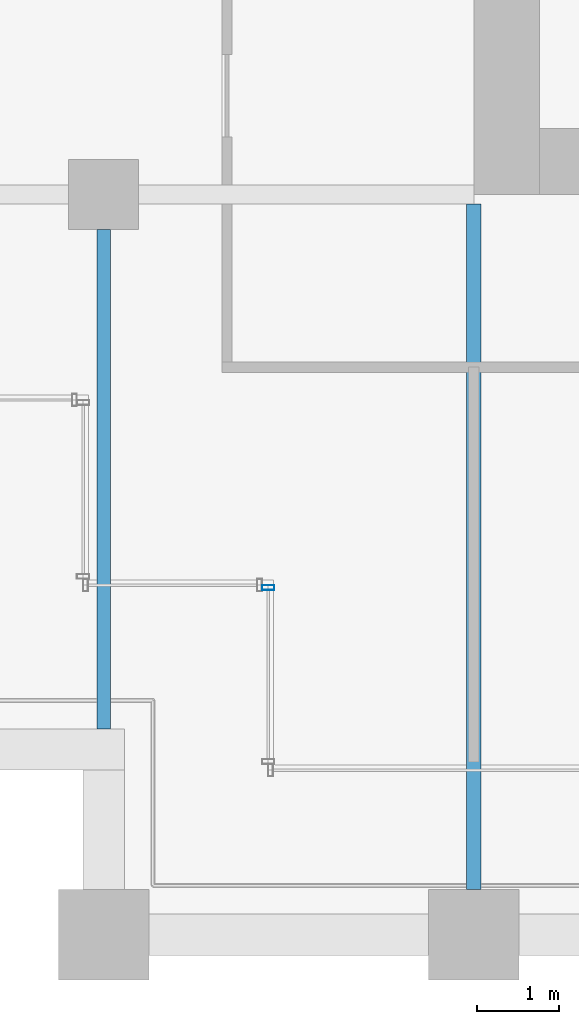
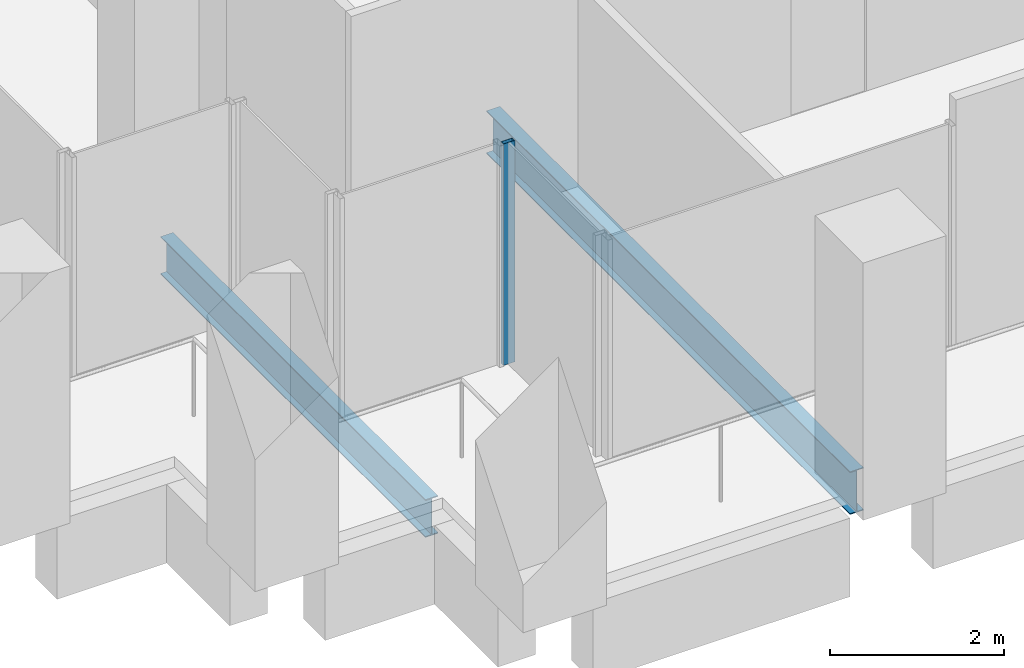
# One storey, part 35 of 56: 2 beams, 1 member, 1 element without a shape of its own.
"""IFC4 building model written with IfcOpenShell, lengths in metres."""

from ifc_helpers import new_model, si_unit, direction, frame, origin, origin_2d, place, context, subcontext, project, spatial, hollow_rectangle, i_section, extrude, material, material_profile, profile_set, type_object, element, aggregate, save


model = new_model("IFC4")

# Units and contexts
model_context = context("Model", 3, precision=1e-05, world=origin(), true_north=direction((0.0, 1.0)))
body_context = subcontext(model_context, "Body", "Model", "MODEL_VIEW")
ifc_project = project(units=[si_unit("LENGTHUNIT", "METRE"), si_unit("AREAUNIT", "SQUARE_METRE"), si_unit("VOLUMEUNIT", "CUBIC_METRE"), si_unit("PLANEANGLEUNIT", "RADIAN"), si_unit("MASSUNIT", "GRAM", prefix="KILO")], contexts=[model_context])

# Site, building, storey
site_placement = place(None, origin())
site = spatial("IfcSite", under=ifc_project, at=site_placement, CompositionType="ELEMENT")
building_placement = place(site_placement, origin())
building = spatial("IfcBuilding", under=site, at=building_placement, Name="Altepetl Exchange Towers", CompositionType="ELEMENT")
storey_placement = place(building_placement, frame((0.0, 0.0, 72.60009765625)))
storey = spatial("IfcBuildingStorey", under=building, at=storey_placement, Name="L17", CompositionType="ELEMENT", Elevation=72.60009765625)

# Beams
ifc_material_1 = material(Name="Steel S355", Category="steel")
ifc_material_profile_1 = material_profile(ifc_material_1, i_section(OverallWidth=0.166015625, OverallDepth=0.529052734375, WebThickness=0.009765625, FlangeThickness=0.013671875, at=origin_2d()), Name="W21X50")
ifc_profile_set_1 = profile_set([ifc_material_profile_1], Name="Steel S355")
beam_type_1 = type_object("IfcBeamType", Name="Floor beam W21X50", PredefinedType="BEAM", material=ifc_profile_set_1)
beam_1_placement = place(storey_placement, frame((99.0, 29.5, -0.41455078125), z_axis=(0.0, 1.0, 0.0), x_axis=(-1.0, 0.0, 0.0)))
element("IfcBeam", 1, at=beam_1_placement, inside=storey, type_object=beam_type_1, Name="bm:B:L17:008", PredefinedType="BEAM", context=body_context, shape_type="SweptSolid", body=[
    extrude(i_section(OverallWidth=0.166015625, OverallDepth=0.529052734375, WebThickness=0.009765625, FlangeThickness=0.013671875, at=origin_2d()), origin(), (0.0, 0.0, 1.0), 6.074951171875),
])
ifc_material_profile_2 = material_profile(ifc_material_1, i_section(OverallWidth=0.177978515625, OverallDepth=0.59912109375, WebThickness=0.010009765625, FlangeThickness=0.0126953125, at=origin_2d()), Name="W24X55")
ifc_profile_set_2 = profile_set([ifc_material_profile_2], Name="Steel S355")
beam_type_2 = type_object("IfcBeamType", Name="Floor beam W24X55", PredefinedType="BEAM", material=ifc_profile_set_2)
beam_2_placement = place(storey_placement, frame((103.5, 27.550048828125, -0.44970703125), z_axis=(0.0, 1.0, 0.0), x_axis=(-1.0, 0.0, 0.0)))
element("IfcBeam", 2, at=beam_2_placement, inside=storey, type_object=beam_type_2, Name="bm:B:L17:009", PredefinedType="BEAM", context=body_context, shape_type="SweptSolid", body=[
    extrude(i_section(OverallWidth=0.177978515625, OverallDepth=0.59912109375, WebThickness=0.010009765625, FlangeThickness=0.0126953125, at=origin_2d()), origin(), (0.0, 0.0, 1.0), 8.3359375),
])

# Curtain wall, member
ifc_material_2 = material(Name="Aluminium 6063-T6 glazing", Category="aluminium")
curtain_wall_type = type_object("IfcCurtainWallType", Name="Loggia glazing system", PredefinedType="NOTDEFINED", material=ifc_material_2)
curtain_wall_placement = place(storey_placement, origin())
curtain_wall = element("IfcCurtainWall", 3, at=curtain_wall_placement, inside=storey, type_object=curtain_wall_type, Name="CW1 run", PredefinedType="NOTDEFINED")
ifc_material_3 = material(Name="Aluminium 6063-T6", Category="aluminium")
ifc_material_profile_3 = material_profile(ifc_material_3, hollow_rectangle(XDim=0.06005859375, YDim=0.14990234375, WallThickness=0.0029296875, at=origin_2d()), Name="Mullion 60x150 aluminium")
ifc_profile_set_3 = profile_set([ifc_material_profile_3], Name="Aluminium 6063-T6")
member_type = type_object("IfcMemberType", Name="Mullion 60x150 aluminium", PredefinedType="MULLION", material=ifc_profile_set_3)
member_placement = place(storey_placement, frame((101.0, 31.219970703125, 0.0), z_axis=(0.0, 0.0, 1.0), x_axis=(0.0, -1.0, 0.0)))
member = element("IfcMember", 4, at=member_placement, type_object=member_type, Name="MU1 mullion", PredefinedType="MULLION", context=body_context, shape_type="SweptSolid", body=[
    extrude(hollow_rectangle(XDim=0.06005859375, YDim=0.14990234375, WallThickness=0.0029296875, at=origin_2d()), origin(), (0.0, 0.0, 1.0), 3.099853515625),
])
aggregate(curtain_wall, [member])

save(model, "model.ifc")
